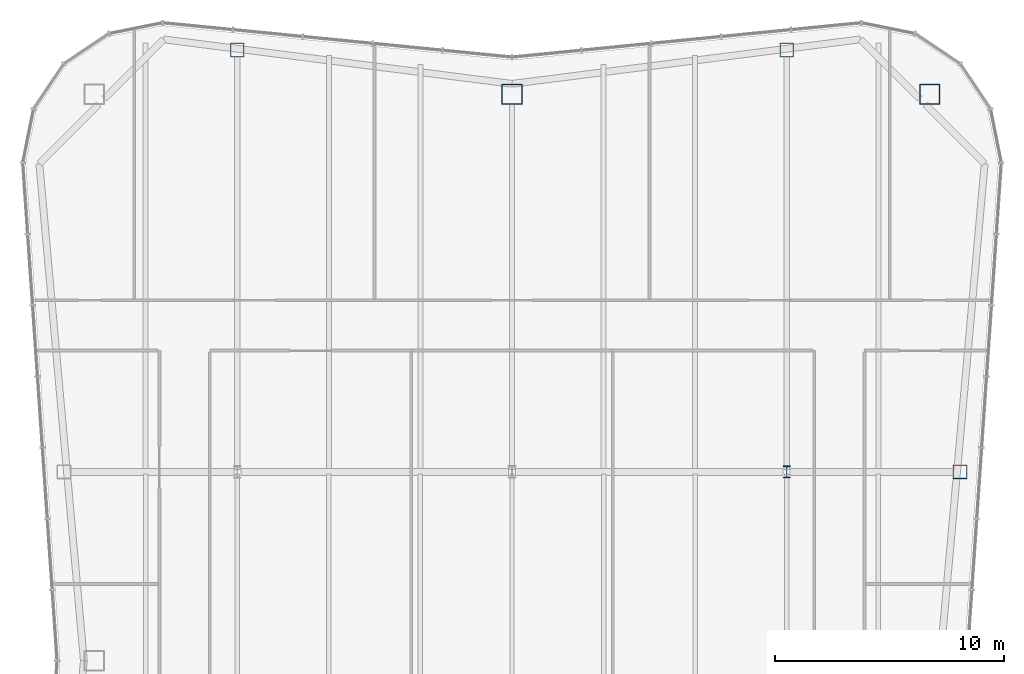
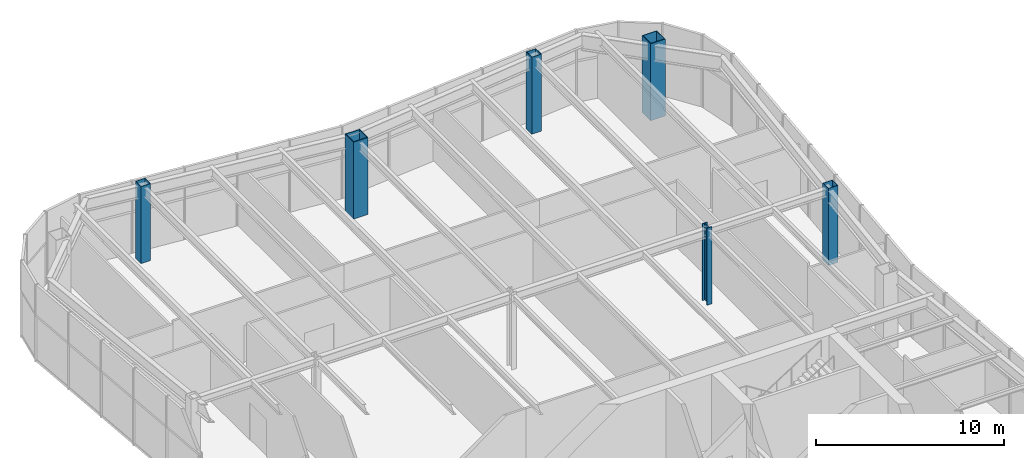
# One storey, part 2 of 13: 6 columns.
"""IFC4 building model written with IfcOpenShell, lengths in metres."""

from ifc_helpers import new_model, si_unit, direction, frame, origin, origin_2d, place, context, subcontext, project, spatial, hollow_rectangle, i_section, extrude, material, material_profile, profile_set, type_object, element, save


model = new_model("IFC4")

# Units and contexts
model_context = context("Model", 3, precision=1e-05, world=origin(), true_north=direction((0.0, 1.0)))
body_context = subcontext(model_context, "Body", "Model", "MODEL_VIEW")
ifc_project = project(units=[si_unit("LENGTHUNIT", "METRE"), si_unit("AREAUNIT", "SQUARE_METRE"), si_unit("VOLUMEUNIT", "CUBIC_METRE"), si_unit("PLANEANGLEUNIT", "RADIAN"), si_unit("MASSUNIT", "GRAM", prefix="KILO")], contexts=[model_context])

# Site, building, storey
site_placement = place(None, origin())
site = spatial("IfcSite", under=ifc_project, at=site_placement, CompositionType="ELEMENT")
building_placement = place(site_placement, origin())
building = spatial("IfcBuilding", under=site, at=building_placement, Name="Verdant Reach Tower", CompositionType="ELEMENT")
storey_placement = place(building_placement, frame((0.0, 0.0, 349.5)))
storey = spatial("IfcBuildingStorey", under=building, at=storey_placement, Name="L79 Plant", CompositionType="ELEMENT", Elevation=349.5)

# Columns
ifc_material = material(Name="Steel S460", Category="steel")
ifc_material_profile_1 = material_profile(ifc_material, i_section(OverallWidth=0.305908203125, OverallDepth=0.52392578125, WebThickness=0.012451171875, FlangeThickness=0.0400390625, FilletRadius=0.027099609375, at=origin_2d()), Name="HEM 500")
ifc_profile_set_1 = profile_set([ifc_material_profile_1], Name="Steel S460")
column_type_1 = type_object("IfcColumnType", Name="ST-COL-HEM500", PredefinedType="COLUMN", material=ifc_profile_set_1)
column_placement = place(storey_placement, frame((12.0, 49.5, 0.0), z_axis=(0.0, 0.0, 1.0), x_axis=(1.0, 0.0, 0.0)))
element("IfcColumn", 1, at=column_placement, inside=storey, type_object=column_type_1, Name="Interior column 3, L79 Plant", PredefinedType="COLUMN", context=body_context, shape_type="SweptSolid", body=[
    extrude(i_section(OverallWidth=0.305908203125, OverallDepth=0.52392578125, WebThickness=0.012451171875, FlangeThickness=0.0400390625, FilletRadius=0.027099609375, at=origin_2d()), origin(), (0.0, 0.0, 1.0), 5.0),
])
ifc_material_profile_2 = material_profile(ifc_material, hollow_rectangle(XDim=0.60009765625, YDim=0.60009765625, WallThickness=0.02490234375, at=origin_2d()), Name="WB 600x600x25")
ifc_profile_set_2 = profile_set([ifc_material_profile_2], Name="Steel S460")
column_type_2 = type_object("IfcColumnType", Name="ST-COL-WB600x600x25", PredefinedType="COLUMN", material=ifc_profile_set_2)
for number, where, z_axis, x_axis, name in (
    (2, (-12.0, 67.930419921875, 0.0), (0.0, 0.0, 1.0), (1.0, 0.0, 0.0), "Perimeter column north 1, L79 Plant"),
    (3, (12.0, 67.930419921875, 0.0), (0.0, 0.0, 1.0), (1.0, 0.0, 0.0), "Perimeter column north 2, L79 Plant"),
    (4, (19.569091796875, 49.5, 0.0), (0.0, 0.0, 1.0), (1.0, 0.0, 0.0), "Perimeter column east 2, L79 Plant"),
):
    element("IfcColumn", number, at=place(storey_placement, frame(where, z_axis=z_axis, x_axis=x_axis)), inside=storey, type_object=column_type_2, Name=name, PredefinedType="COLUMN", context=body_context, shape_type="SweptSolid", body=[
        extrude(hollow_rectangle(XDim=0.60009765625, YDim=0.60009765625, WallThickness=0.02490234375, at=origin_2d()), origin(), (0.0, 0.0, 1.0), 5.0),
    ])
ifc_material_profile_3 = material_profile(ifc_material, hollow_rectangle(XDim=0.89990234375, YDim=0.89990234375, WallThickness=0.0400390625, at=origin_2d()), Name="WB 900x900x40")
ifc_profile_set_3 = profile_set([ifc_material_profile_3], Name="Steel S460")
column_type_3 = type_object("IfcColumnType", Name="ST-COL-WB900x900x40", PredefinedType="COLUMN", material=ifc_profile_set_3)
for number, where, z_axis, x_axis, name in (
    (5, (0.0, 66.0, 0.0), (0.0, 0.0, 1.0), (1.0, 0.0, 0.0), "Mega column north, L79 Plant"),
    (6, (18.25, 66.0, 0.0), (0.0, 0.0, 1.0), (1.0, 0.0, 0.0), "Mega column north-east, L79 Plant"),
):
    element("IfcColumn", number, at=place(storey_placement, frame(where, z_axis=z_axis, x_axis=x_axis)), inside=storey, type_object=column_type_3, Name=name, PredefinedType="COLUMN", context=body_context, shape_type="SweptSolid", body=[
        extrude(hollow_rectangle(XDim=0.89990234375, YDim=0.89990234375, WallThickness=0.0400390625, at=origin_2d()), origin(), (0.0, 0.0, 1.0), 5.0),
    ])

save(model, "model.ifc")
